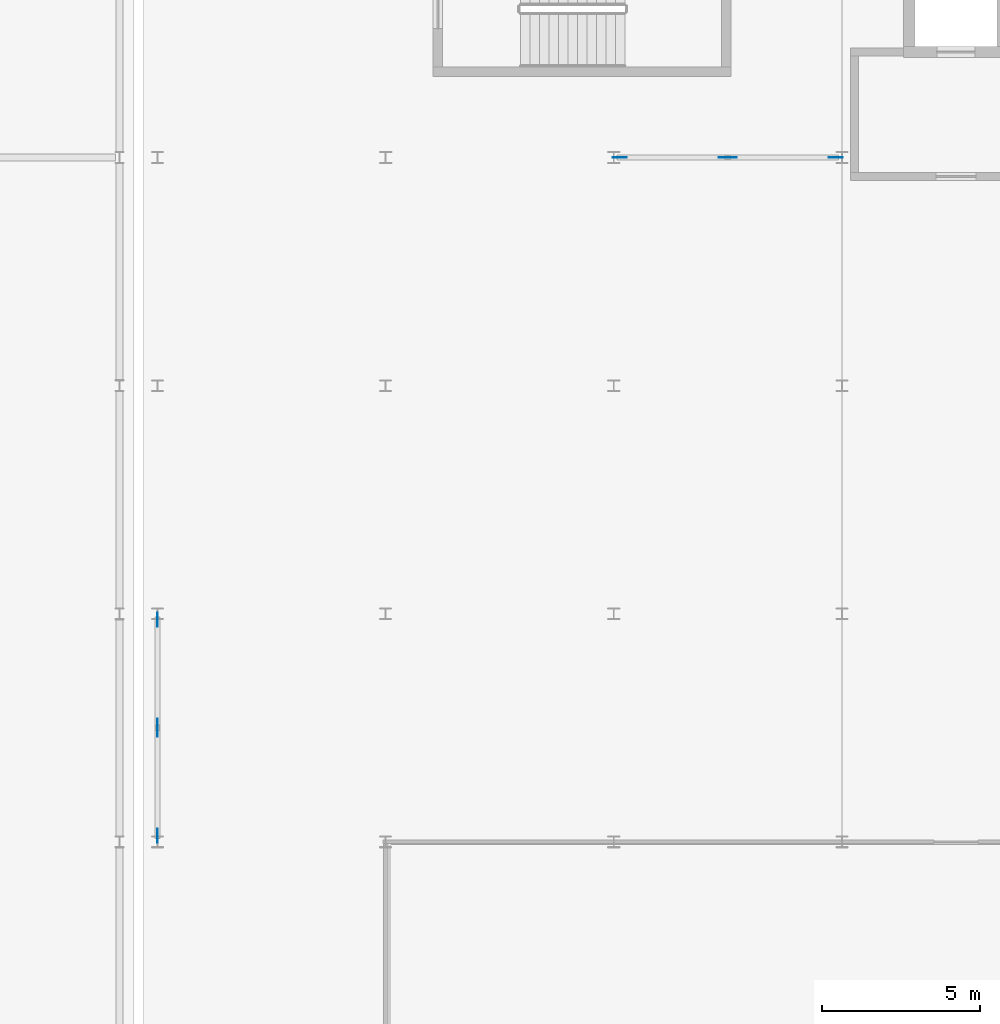
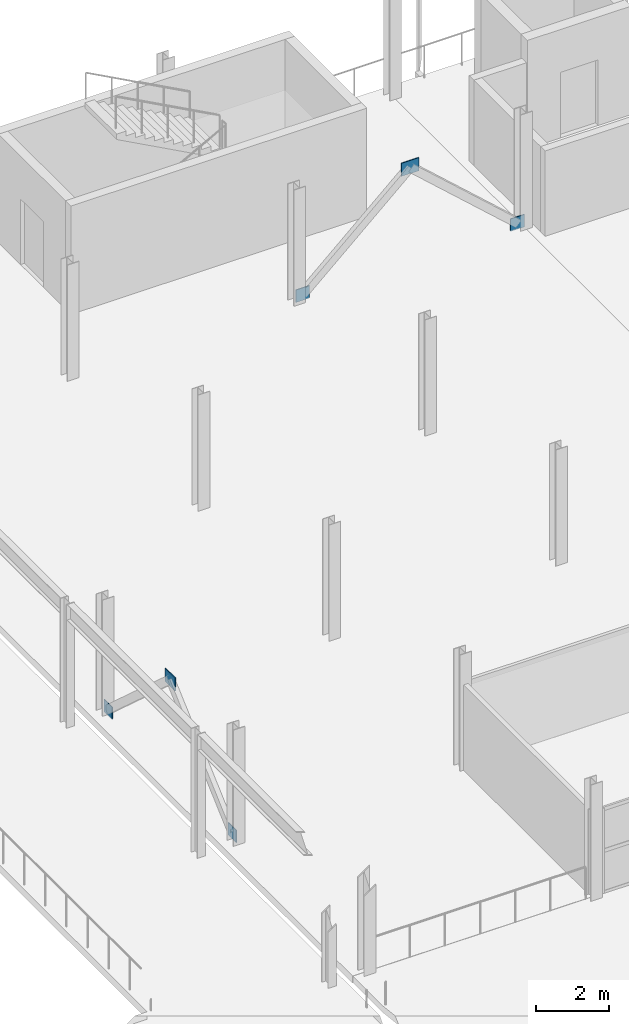
# One storey, part 25 of 40: 6 plates.
"""IFC4 building model written with IfcOpenShell, lengths in metres."""

from ifc_helpers import new_model, si_unit, direction, frame, origin, origin_2d, place, context, subcontext, project, spatial, rectangle, extrude, material, layer, layer_set, type_object, element, save


model = new_model("IFC4")

# Units and contexts
model_context = context("Model", 3, precision=1e-05, world=origin(), true_north=direction((0.0, 1.0)))
body_context = subcontext(model_context, "Body", "Model", "MODEL_VIEW")
ifc_project = project(units=[si_unit("LENGTHUNIT", "METRE"), si_unit("AREAUNIT", "SQUARE_METRE"), si_unit("VOLUMEUNIT", "CUBIC_METRE"), si_unit("PLANEANGLEUNIT", "RADIAN"), si_unit("MASSUNIT", "GRAM", prefix="KILO")], contexts=[model_context])

# Site, building, storey
site_placement = place(None, origin())
site = spatial("IfcSite", under=ifc_project, at=site_placement, CompositionType="ELEMENT")
building_placement = place(site_placement, origin())
building = spatial("IfcBuilding", under=site, at=building_placement, Name="Vaelcorin Mobility Hub", CompositionType="ELEMENT")
storey_placement = place(building_placement, frame((0.0, 0.0, 17.10009765625)))
storey = spatial("IfcBuildingStorey", under=building, at=storey_placement, Name="L04", CompositionType="ELEMENT", Elevation=17.10009765625)

# Plates
ifc_material = material(Name="Steel ASTM A572 Grade 50", Category="steel")
ifc_layer = layer(ifc_material, 0.02490234375)
ifc_layer_set = layer_set([ifc_layer], Name="Steel ASTM A572 Grade 50")
plate_type = type_object("IfcPlateType", Name="PL-GN3", PredefinedType="USERDEFINED", material=ifc_layer_set)
for number, where, z_axis, x_axis, name in (
    (1, (50.590087890625, 112.800048828125, -0.030029296875), (0.0, 0.0, 1.0), (1.0, 0.0, 0.0), "SCBF Gusset Plate GN3 V4-BX1-L04-A"),
    (2, (57.409912109375, 112.800048828125, -0.030029296875), (0.0, 0.0, 1.0), (1.0, 0.0, 0.0), "SCBF Gusset Plate GN3 V4-BX1-L04-B"),
):
    element("IfcPlate", number, at=place(storey_placement, frame(where, z_axis=z_axis, x_axis=x_axis)), inside=storey, type_object=plate_type, Name=name, ObjectType="GUSSET PLATE", PredefinedType="USERDEFINED", context=body_context, shape_type="SweptSolid", body=[
        extrude(rectangle(XDim=0.43994140625, YDim=0.02490234375, at=origin_2d()), origin(), (0.0, 0.0, 1.0), 0.419921875),
    ])
plate_1_placement = place(storey_placement, frame((54.0, 112.800048828125, 3.030029296875), z_axis=(0.0, 0.0, 1.0), x_axis=(1.0, 0.0, 0.0)))
element("IfcPlate", 3, at=plate_1_placement, inside=storey, type_object=plate_type, Name="SCBF Apex Gusset GN3 V4-BX1-L04", ObjectType="GUSSET PLATE", PredefinedType="USERDEFINED", context=body_context, shape_type="SweptSolid", body=[
    extrude(rectangle(XDim=0.56005859375, YDim=0.02490234375, at=origin_2d()), origin(), (0.0, 0.0, 1.0), 0.43994140625),
])
for number, where, z_axis, x_axis, name in (
    (4, (36.0, 91.389892578125, -0.030029296875), (0.0, 0.0, 1.0), (0.0, 1.0, 0.0), "SCBF Gusset Plate GN3 V4-BY1-L04-A"),
    (5, (36.0, 98.2099609375, -0.030029296875), (0.0, 0.0, 1.0), (0.0, 1.0, 0.0), "SCBF Gusset Plate GN3 V4-BY1-L04-B"),
):
    element("IfcPlate", number, at=place(storey_placement, frame(where, z_axis=z_axis, x_axis=x_axis)), inside=storey, type_object=plate_type, Name=name, ObjectType="GUSSET PLATE", PredefinedType="USERDEFINED", context=body_context, shape_type="SweptSolid", body=[
        extrude(rectangle(XDim=0.43994140625, YDim=0.02490234375, at=origin_2d()), origin(), (0.0, 0.0, 1.0), 0.419921875),
    ])
plate_2_placement = place(storey_placement, frame((36.0, 94.800048828125, 3.030029296875), z_axis=(0.0, 0.0, 1.0), x_axis=(0.0, 1.0, 0.0)))
element("IfcPlate", 6, at=plate_2_placement, inside=storey, type_object=plate_type, Name="SCBF Apex Gusset GN3 V4-BY1-L04", ObjectType="GUSSET PLATE", PredefinedType="USERDEFINED", context=body_context, shape_type="SweptSolid", body=[
    extrude(rectangle(XDim=0.56005859375, YDim=0.02490234375, at=origin_2d()), origin(), (0.0, 0.0, 1.0), 0.43994140625),
])

save(model, "model.ifc")
